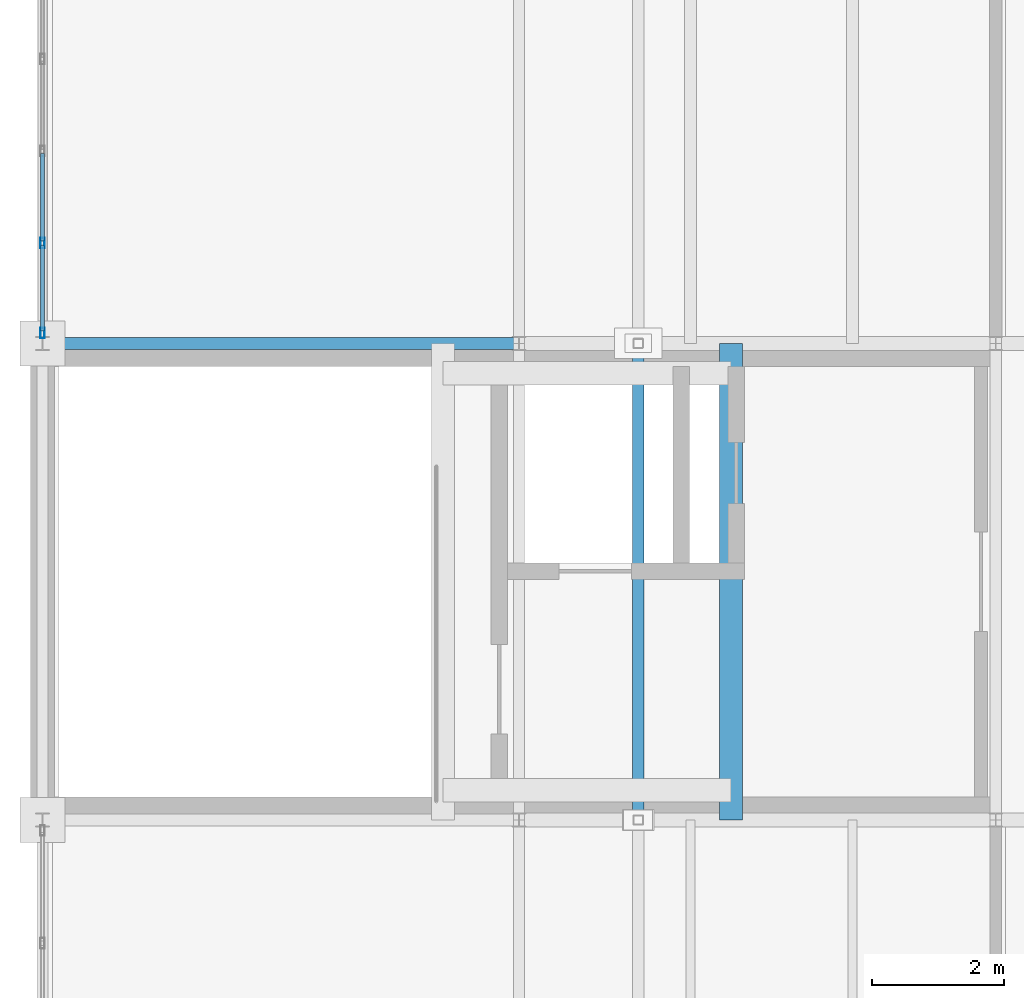
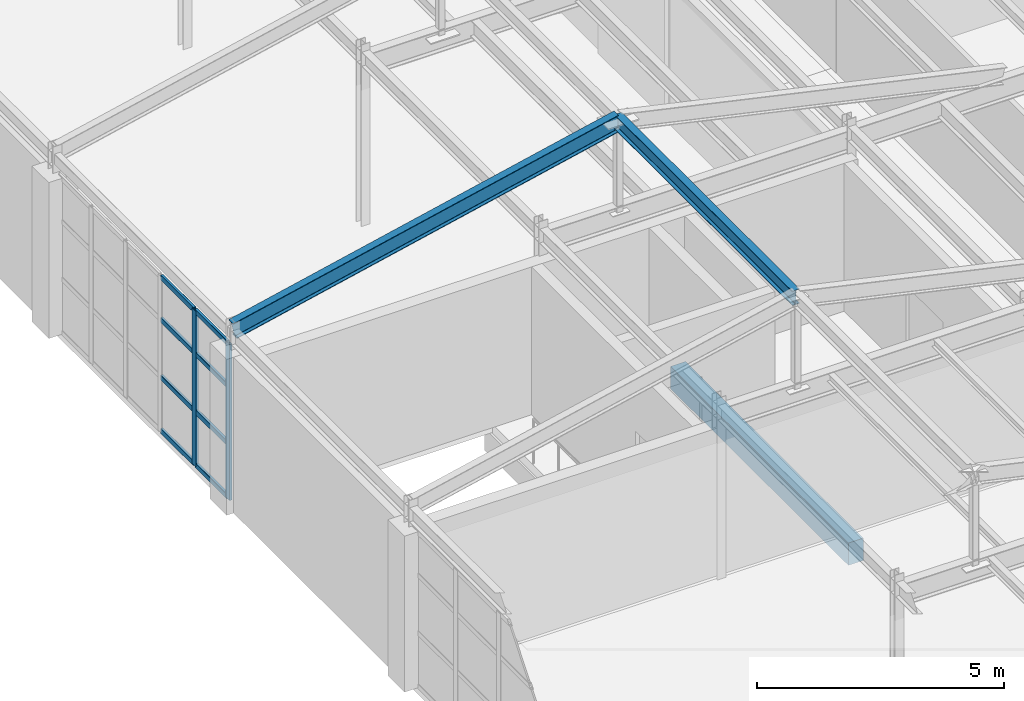
# One storey, part 15 of 43: 10 members, 3 beams, 1 element without a shape of its own.
"""IFC4 building model written with IfcOpenShell, lengths in metres."""

import ifcopenshell
import ifcopenshell.guid

model = None  # the IFC model being written
_history = None  # IfcOwnerHistory: only IFC2X3 demands one
_inside = {}  # id of a spatial element -> (the spatial element, [elements in it])
_under = {}  # id of a project, library or spatial element -> (it, [spatial elements below it])
_declared = {}  # id of a project -> (the project, [libraries it declares])
_typed = {}  # id of a type object -> (the type object, [elements of that type])
_made_of = {}  # id of a material, layer set ... -> (it, [elements and type objects made of it])


def new_model(schema):
    """Start an empty IFC model of exactly this schema.

    Asked for "IFC4X3", IfcOpenShell would pick the latest addendum, in which some entities
    have other attributes; the version numbers below select the first issue.
    IFC2X3 requires an IfcOwnerHistory on every rooted entity: one is made here for all.
    """
    global model, _history
    if schema == "IFC4X3":
        model = ifcopenshell.file(schema_version=(4, 3, 0, 0))
    else:
        model = ifcopenshell.file(schema=schema)
    _inside.clear()
    _under.clear()
    _declared.clear()
    _typed.clear()
    _made_of.clear()
    _history = None
    if model.schema == "IFC2X3":
        org = make("IfcOrganization", Name="unknown")
        user = make(
            "IfcPersonAndOrganization",
            ThePerson=make("IfcPerson", FamilyName="unknown"),
            TheOrganization=org,
        )
        app = make(
            "IfcApplication",
            ApplicationDeveloper=org,
            Version="unknown",
            ApplicationFullName="unknown",
            ApplicationIdentifier="unknown",
        )
        _history = make(
            "IfcOwnerHistory",
            OwningUser=user,
            OwningApplication=app,
            ChangeAction="ADDED",
            CreationDate=0,
        )
    return model


def make(cls, **values):
    """One entity of the class cls with the attributes given. An attribute that is None is left unset."""
    return model.create_entity(
        cls, **{name: value for name, value in values.items() if value is not None}
    )


def rooted(cls, **values):
    """An entity with a GlobalId (a new one), such as an element, a storey or a relation."""
    return make(cls, GlobalId=ifcopenshell.guid.new(), OwnerHistory=_history, **values)


def si_unit(unit_type, name, prefix=None):
    """IfcSIUnit, for example si_unit("LENGTHUNIT", "METRE", prefix="MILLI")."""
    return make("IfcSIUnit", UnitType=unit_type, Prefix=prefix, Name=name)


def assignment(units):
    """IfcUnitAssignment: the units of a project."""
    return None if units is None else make("IfcUnitAssignment", Units=units)


def point(xyz):
    """IfcCartesianPoint."""
    return None if xyz is None else make("IfcCartesianPoint", Coordinates=xyz)


def direction(xyz):
    """IfcDirection."""
    return None if xyz is None else make("IfcDirection", DirectionRatios=xyz)


def frame(location, z_axis=None, x_axis=None):
    """IfcAxis2Placement3D, a coordinate frame: its origin and axes. An axis left out is left unset."""
    return make(
        "IfcAxis2Placement3D",
        Location=point(location),
        Axis=direction(z_axis),
        RefDirection=direction(x_axis),
    )


def frame_2d(location, x_axis=None):
    """IfcAxis2Placement2D, a coordinate frame in the plane: its origin and x axis."""
    return make(
        "IfcAxis2Placement2D", Location=point(location), RefDirection=direction(x_axis)
    )


def origin():
    """The frame at (0, 0, 0) with its axes left unset."""
    return frame((0.0, 0.0, 0.0))


def origin_2d():
    """The frame at (0, 0) in the plane with its x axis left unset."""
    return frame_2d((0.0, 0.0))


def place(relative_to, where):
    """IfcLocalPlacement: puts the frame where relative to a parent placement (None: the world)."""
    return make(
        "IfcLocalPlacement", PlacementRelTo=relative_to, RelativePlacement=where
    )


def context(
    kind, dimensions, precision=None, world=None, true_north=None, identifier=None
):
    """IfcGeometricRepresentationContext, for example the 3D "Model" context."""
    return make(
        "IfcGeometricRepresentationContext",
        ContextIdentifier=identifier,
        ContextType=kind,
        CoordinateSpaceDimension=dimensions,
        Precision=precision,
        WorldCoordinateSystem=world,
        TrueNorth=true_north,
    )


def subcontext(parent, identifier, kind, view, scale=None):
    """IfcGeometricRepresentationSubContext, for example "Body" below "Model"."""
    return make(
        "IfcGeometricRepresentationSubContext",
        ContextIdentifier=identifier,
        ContextType=kind,
        ParentContext=parent,
        TargetScale=scale,
        TargetView=view,
    )


def project(units=None, contexts=None):
    """IfcProject with its units and contexts."""
    return rooted(
        "IfcProject",
        Name="project",
        RepresentationContexts=contexts,
        UnitsInContext=assignment(units),
    )


def spatial(cls, under=None, at=None, **own):
    """A site, building, storey or space (cls), placed at a placement, below another one or the project."""
    s = rooted(cls, ObjectPlacement=at, **own)
    if under is not None:
        _under.setdefault(under.id(), (under, []))[1].append(s)
    return s


def profile(cls, at=None, kind="AREA", **sizes):
    """A parametric profile (cls). Its sizes go by their IFC names, for example OverallWidth=200.0."""
    return make(cls, ProfileType=kind, Position=at, **sizes)


def rectangle(**sizes):
    """IfcRectangleProfileDef."""
    return profile("IfcRectangleProfileDef", **sizes)


def hollow_rectangle(**sizes):
    """IfcRectangleHollowProfileDef."""
    return profile("IfcRectangleHollowProfileDef", **sizes)


def i_section(**sizes):
    """IfcIShapeProfileDef."""
    return profile("IfcIShapeProfileDef", **sizes)


def extrude(swept, where, along, depth):
    """IfcExtrudedAreaSolid: the profile swept, set in the frame where, extruded along a direction by depth."""
    return make(
        "IfcExtrudedAreaSolid",
        SweptArea=swept,
        Position=where,
        ExtrudedDirection=direction(along),
        Depth=depth,
    )


def shape(context_of_items, identifier, shape_type, items):
    """IfcShapeRepresentation: the items that make up one representation, for example the "Body"."""
    return make(
        "IfcShapeRepresentation",
        ContextOfItems=context_of_items,
        RepresentationIdentifier=identifier,
        RepresentationType=shape_type,
        Items=items,
    )


def material(Name=None, Category=None):
    """IfcMaterial."""
    return make("IfcMaterial", Name=Name, Category=Category)


def layer(
    of_material, thickness, ventilated=None, Name=None, Category=None, Priority=None
):
    """IfcMaterialLayer: one layer of a wall or slab, of a material (None: an air gap)."""
    return make(
        "IfcMaterialLayer",
        Material=of_material,
        LayerThickness=thickness,
        IsVentilated=ventilated,
        Name=Name,
        Category=Category,
        Priority=Priority,
    )


def layer_set(layers, Name=None):
    """IfcMaterialLayerSet."""
    return make("IfcMaterialLayerSet", MaterialLayers=layers, LayerSetName=Name)


def material_profile(
    of_material, cross_section, Name=None, Category=None, Priority=None
):
    """IfcMaterialProfile: a cross section and its material."""
    return make(
        "IfcMaterialProfile",
        Name=Name,
        Material=of_material,
        Profile=cross_section,
        Priority=Priority,
        Category=Category,
    )


def profile_set(profiles, Name=None, composite=None):
    """IfcMaterialProfileSet."""
    return make(
        "IfcMaterialProfileSet",
        Name=Name,
        MaterialProfiles=profiles,
        CompositeProfile=composite,
    )


def made_of(thing, what):
    """Note that an element or type object is made of a material, layer set ...; save() writes the relation."""
    if what is not None:
        _made_of.setdefault(what.id(), (what, []))[1].append(thing)
    return thing


def type_object(cls, material=None, **own):
    """A type object (cls), such as IfcWallType, which elements share."""
    return made_of(rooted(cls, **own), material)


def element(
    cls,
    number,
    at=None,
    inside=None,
    cuts=None,
    type_object=None,
    material=None,
    context=None,
    identifier="Body",
    shape_type=None,
    held_by="IfcProductDefinitionShape",
    body=None,
    shapes=None,
    **own,
):
    """One element of the class cls, such as IfcWall. Its Tag is "e" and its number.

    at: its placement. inside: the storey or other place that contains it. cuts: it is an
    opening in that element (IfcRelVoidsElement). A single representation is given by context,
    identifier, shape_type and body (its items); several are given by shapes. held_by: the class
    of the entity that holds the representations. save() writes the other relations.
    """
    e = rooted(cls, Tag="e%d" % number, ObjectPlacement=at, **own)
    if body is not None:
        shapes = [shape(context, identifier, shape_type, body)]
    if shapes is not None:
        e.Representation = make(held_by, Representations=shapes)
    if inside is not None:
        _inside.setdefault(inside.id(), (inside, []))[1].append(e)
    if cuts is not None:
        rooted(
            "IfcRelVoidsElement", RelatingBuildingElement=cuts, RelatedOpeningElement=e
        )
    if type_object is not None:
        _typed.setdefault(type_object.id(), (type_object, []))[1].append(e)
    return made_of(e, material)


def aggregate(whole, parts):
    """IfcRelAggregates: a whole, such as a stair, and the parts it consists of."""
    return rooted("IfcRelAggregates", RelatingObject=whole, RelatedObjects=parts)


def save(model, path):
    """Write the relations noted so far, then the file.

    IfcRelAggregates (storeys below a building ...), IfcRelContainedInSpatialStructure (elements
    in a storey), IfcRelDefinesByType, IfcRelAssociatesMaterial and IfcRelDeclares: one each for
    every whole, place, type object, material and project.
    """
    for whole, parts in _under.values():
        aggregate(whole, parts)
    for where, things in _inside.values():
        rooted(
            "IfcRelContainedInSpatialStructure",
            RelatedElements=things,
            RelatingStructure=where,
        )
    for kind, things in _typed.values():
        rooted("IfcRelDefinesByType", RelatedObjects=things, RelatingType=kind)
    for what, things in _made_of.values():
        rooted("IfcRelAssociatesMaterial", RelatedObjects=things, RelatingMaterial=what)
    for by, libraries in _declared.values():
        rooted("IfcRelDeclares", RelatingContext=by, RelatedDefinitions=libraries)
    model.write(path)


model = new_model("IFC4")

# Units and contexts
model_context = context("Model", 3, precision=1e-05, world=origin(), true_north=direction((0.0, 1.0)))
body_context = subcontext(model_context, "Body", "Model", "MODEL_VIEW")
ifc_project = project(units=[si_unit("LENGTHUNIT", "METRE"), si_unit("AREAUNIT", "SQUARE_METRE"), si_unit("VOLUMEUNIT", "CUBIC_METRE"), si_unit("PLANEANGLEUNIT", "RADIAN"), si_unit("MASSUNIT", "GRAM", prefix="KILO")], contexts=[model_context])

# Site, building, storey
site_placement = place(None, origin())
site = spatial("IfcSite", under=ifc_project, at=site_placement, CompositionType="ELEMENT")
building_placement = place(site_placement, origin())
building = spatial("IfcBuilding", under=site, at=building_placement, Name="Kemerveld Promenade Tramway Depot", CompositionType="ELEMENT")
storey_placement = place(building_placement, frame((0.0, 0.0, 18.89990234375)))
storey = spatial("IfcBuildingStorey", under=building, at=storey_placement, Name="L04", CompositionType="ELEMENT", Elevation=18.89990234375)

# Beams
ifc_material_1 = material(Name="Steel S355", Category="steel")
ifc_material_profile_1 = material_profile(ifc_material_1, i_section(OverallWidth=0.1787109375, OverallDepth=0.409423828125, WebThickness=0.0087890625, FlangeThickness=0.014404296875, FilletRadius=0.01025390625, at=origin_2d()), Name="406x178x67 UB")
ifc_profile_set_1 = profile_set([ifc_material_profile_1], Name="Steel S355")
beam_type_1 = type_object("IfcBeamType", Name="BM-G07", PredefinedType="BEAM", material=ifc_profile_set_1)
beam_1_placement = place(storey_placement, frame((0.0, 21.60009765625, 4.275390625), z_axis=(0.976187060184, 0.0, 0.216930457819), x_axis=(0.0, 1.0, 0.0)))
element("IfcBeam", 1, at=beam_1_placement, inside=storey, type_object=beam_type_1, Name="RAF-V5-D-W", PredefinedType="BEAM", context=body_context, shape_type="SweptSolid", body=[
    extrude(i_section(OverallWidth=0.1787109375, OverallDepth=0.409423828125, WebThickness=0.0087890625, FlangeThickness=0.014404296875, FilletRadius=0.01025390625, at=origin_2d()), origin(), (0.0, 0.0, 1.0), 9.219482421875),
])
ifc_material_profile_2 = material_profile(ifc_material_1, i_section(OverallWidth=0.172119140625, OverallDepth=0.35791015625, WebThickness=0.008056640625, FlangeThickness=0.012939453125, FilletRadius=0.01025390625, at=origin_2d()), Name="356x171x57 UB")
ifc_profile_set_2 = profile_set([ifc_material_profile_2], Name="Steel S355")
beam_type_2 = type_object("IfcBeamType", Name="BM-G08", PredefinedType="BEAM", material=ifc_profile_set_2)
beam_2_placement = place(storey_placement, frame((9.0, 14.39990234375, 6.275390625), z_axis=(0.0, 1.0, 0.0), x_axis=(-1.0, 0.0, 0.0)))
element("IfcBeam", 2, at=beam_2_placement, inside=storey, type_object=beam_type_2, Name="BM-RDG-V5-3", PredefinedType="BEAM", context=body_context, shape_type="SweptSolid", body=[
    extrude(i_section(OverallWidth=0.172119140625, OverallDepth=0.35791015625, WebThickness=0.008056640625, FlangeThickness=0.012939453125, FilletRadius=0.01025390625, at=origin_2d()), origin(), (0.0, 0.0, 1.0), 7.2001953125),
])
ifc_material_2 = material(Name="Concrete C40/50", Category="concrete")
ifc_material_profile_3 = material_profile(ifc_material_2, rectangle(XDim=0.35009765625, YDim=0.550048828125, at=origin_2d()), Name="RC-BM-350x550")
ifc_profile_set_3 = profile_set([ifc_material_profile_3], Name="Concrete C40/50")
beam_type_3 = type_object("IfcBeamType", Name="BM-RC3", PredefinedType="BEAM", material=ifc_profile_set_3)
beam_3_placement = place(storey_placement, frame((10.39990234375, 14.39990234375, -0.5), z_axis=(0.0, 1.0, 0.0), x_axis=(-1.0, 0.0, 0.0)))
element("IfcBeam", 3, at=beam_3_placement, inside=storey, type_object=beam_type_3, Name="BM-CORE-C1-L04-E", PredefinedType="BEAM", context=body_context, shape_type="SweptSolid", body=[
    extrude(rectangle(XDim=0.35009765625, YDim=0.550048828125, at=origin_2d()), origin(), (0.0, 0.0, 1.0), 7.2001953125),
])

# Curtain wall, members
ifc_material_3 = material(Name="Bronze anodised aluminium and solar glass", Category="aluminium")
ifc_layer = layer(ifc_material_3, 0.159912109375)
ifc_layer_set = layer_set([ifc_layer], Name="CW-SYS-07")
curtain_wall_type = type_object("IfcCurtainWallType", Name="CW-SYS-07", PredefinedType="USERDEFINED", material=ifc_layer_set)
curtain_wall_placement = place(storey_placement, origin())
curtain_wall = element("IfcCurtainWall", 4, at=curtain_wall_placement, inside=storey, type_object=curtain_wall_type, Name="CW-L04-V5W-04", ObjectType="GLAZED_CURTAIN_WALL", PredefinedType="USERDEFINED")
ifc_material_4 = material(Name="Bronze anodised aluminium", Category="aluminium")
ifc_material_profile_4 = material_profile(ifc_material_4, hollow_rectangle(XDim=0.06494140625, YDim=0.159912109375, WallThickness=0.00390625, InnerFilletRadius=0.001953125, OuterFilletRadius=0.00390625, at=origin_2d()), Name="CW-MUL-160x65")
ifc_profile_set_4 = profile_set([ifc_material_profile_4], Name="Bronze anodised aluminium")
member_type_1 = type_object("IfcMemberType", Name="CW-MUL-A", PredefinedType="MULLION", material=ifc_profile_set_4)
member_1_placement = place(storey_placement, frame((0.0, 21.75732421875, 0.0), z_axis=(0.0, 0.0, 1.0), x_axis=(-1.0, 0.0, 0.0)))
member_1 = element("IfcMember", 5, at=member_1_placement, type_object=member_type_1, Name="CW07 mullion 1", PredefinedType="MULLION", context=body_context, shape_type="SweptSolid", body=[
    extrude(hollow_rectangle(XDim=0.06494140625, YDim=0.159912109375, WallThickness=0.00390625, InnerFilletRadius=0.001953125, OuterFilletRadius=0.00390625, at=origin_2d()), origin(), (0.0, 0.0, 1.0), 3.85009765625),
])
member_2_placement = place(storey_placement, frame((0.0, 23.114990234375, 0.0), z_axis=(0.0, 0.0, 1.0), x_axis=(-1.0, 0.0, 0.0)))
member_2 = element("IfcMember", 6, at=member_2_placement, type_object=member_type_1, Name="CW07 mullion 2", PredefinedType="MULLION", context=body_context, shape_type="SweptSolid", body=[
    extrude(hollow_rectangle(XDim=0.06494140625, YDim=0.159912109375, WallThickness=0.00390625, InnerFilletRadius=0.001953125, OuterFilletRadius=0.00390625, at=origin_2d()), origin(), (0.0, 0.0, 1.0), 3.85009765625),
])
ifc_material_profile_5 = material_profile(ifc_material_4, hollow_rectangle(XDim=0.06005859375, YDim=0.1201171875, WallThickness=0.00390625, InnerFilletRadius=0.001953125, OuterFilletRadius=0.00390625, at=origin_2d()), Name="CW-TRN-120x60")
ifc_profile_set_5 = profile_set([ifc_material_profile_5], Name="Bronze anodised aluminium")
member_type_2 = type_object("IfcMemberType", Name="CW-TRN-A", PredefinedType="USERDEFINED", material=ifc_profile_set_5)
member_3_placement = place(storey_placement, frame((0.0, 21.789794921875, 0.030029296875), z_axis=(0.0, 1.0, 0.0), x_axis=(-1.0, 0.0, 0.0)))
member_3 = element("IfcMember", 7, at=member_3_placement, type_object=member_type_2, Name="CW07 transom 1.1", ObjectType="TRANSOM", PredefinedType="USERDEFINED", context=body_context, shape_type="SweptSolid", body=[
    extrude(hollow_rectangle(XDim=0.06005859375, YDim=0.1201171875, WallThickness=0.00390625, InnerFilletRadius=0.001953125, OuterFilletRadius=0.00390625, at=origin_2d()), origin(), (0.0, 0.0, 1.0), 1.29248046875),
])
member_4_placement = place(storey_placement, frame((0.0, 21.789794921875, 1.34716796875), z_axis=(0.0, 1.0, 0.0), x_axis=(-1.0, 0.0, 0.0)))
member_4 = element("IfcMember", 8, at=member_4_placement, type_object=member_type_2, Name="CW07 transom 1.2", ObjectType="TRANSOM", PredefinedType="USERDEFINED", context=body_context, shape_type="SweptSolid", body=[
    extrude(hollow_rectangle(XDim=0.06005859375, YDim=0.1201171875, WallThickness=0.00390625, InnerFilletRadius=0.001953125, OuterFilletRadius=0.00390625, at=origin_2d()), origin(), (0.0, 0.0, 1.0), 1.29248046875),
])
member_5_placement = place(storey_placement, frame((0.0, 21.789794921875, 2.772216796875), z_axis=(0.0, 1.0, 0.0), x_axis=(-1.0, 0.0, 0.0)))
member_5 = element("IfcMember", 9, at=member_5_placement, type_object=member_type_2, Name="CW07 transom 1.3", ObjectType="TRANSOM", PredefinedType="USERDEFINED", context=body_context, shape_type="SweptSolid", body=[
    extrude(hollow_rectangle(XDim=0.06005859375, YDim=0.1201171875, WallThickness=0.00390625, InnerFilletRadius=0.001953125, OuterFilletRadius=0.00390625, at=origin_2d()), origin(), (0.0, 0.0, 1.0), 1.29248046875),
])
member_6_placement = place(storey_placement, frame((0.0, 21.789794921875, 3.820068359375), z_axis=(0.0, 1.0, 0.0), x_axis=(-1.0, 0.0, 0.0)))
member_6 = element("IfcMember", 10, at=member_6_placement, type_object=member_type_2, Name="CW07 transom 1.4", ObjectType="TRANSOM", PredefinedType="USERDEFINED", context=body_context, shape_type="SweptSolid", body=[
    extrude(hollow_rectangle(XDim=0.06005859375, YDim=0.1201171875, WallThickness=0.00390625, InnerFilletRadius=0.001953125, OuterFilletRadius=0.00390625, at=origin_2d()), origin(), (0.0, 0.0, 1.0), 1.29248046875),
])
member_7_placement = place(storey_placement, frame((0.0, 23.1474609375, 0.030029296875), z_axis=(0.0, 1.0, 0.0), x_axis=(-1.0, 0.0, 0.0)))
member_7 = element("IfcMember", 11, at=member_7_placement, type_object=member_type_2, Name="CW07 transom 2.1", ObjectType="TRANSOM", PredefinedType="USERDEFINED", context=body_context, shape_type="SweptSolid", body=[
    extrude(hollow_rectangle(XDim=0.06005859375, YDim=0.1201171875, WallThickness=0.00390625, InnerFilletRadius=0.001953125, OuterFilletRadius=0.00390625, at=origin_2d()), origin(), (0.0, 0.0, 1.0), 1.324951171875),
])
member_8_placement = place(storey_placement, frame((0.0, 23.1474609375, 1.34716796875), z_axis=(0.0, 1.0, 0.0), x_axis=(-1.0, 0.0, 0.0)))
member_8 = element("IfcMember", 12, at=member_8_placement, type_object=member_type_2, Name="CW07 transom 2.2", ObjectType="TRANSOM", PredefinedType="USERDEFINED", context=body_context, shape_type="SweptSolid", body=[
    extrude(hollow_rectangle(XDim=0.06005859375, YDim=0.1201171875, WallThickness=0.00390625, InnerFilletRadius=0.001953125, OuterFilletRadius=0.00390625, at=origin_2d()), origin(), (0.0, 0.0, 1.0), 1.324951171875),
])
member_9_placement = place(storey_placement, frame((0.0, 23.1474609375, 2.772216796875), z_axis=(0.0, 1.0, 0.0), x_axis=(-1.0, 0.0, 0.0)))
member_9 = element("IfcMember", 13, at=member_9_placement, type_object=member_type_2, Name="CW07 transom 2.3", ObjectType="TRANSOM", PredefinedType="USERDEFINED", context=body_context, shape_type="SweptSolid", body=[
    extrude(hollow_rectangle(XDim=0.06005859375, YDim=0.1201171875, WallThickness=0.00390625, InnerFilletRadius=0.001953125, OuterFilletRadius=0.00390625, at=origin_2d()), origin(), (0.0, 0.0, 1.0), 1.324951171875),
])
member_10_placement = place(storey_placement, frame((0.0, 23.1474609375, 3.820068359375), z_axis=(0.0, 1.0, 0.0), x_axis=(-1.0, 0.0, 0.0)))
member_10 = element("IfcMember", 14, at=member_10_placement, type_object=member_type_2, Name="CW07 transom 2.4", ObjectType="TRANSOM", PredefinedType="USERDEFINED", context=body_context, shape_type="SweptSolid", body=[
    extrude(hollow_rectangle(XDim=0.06005859375, YDim=0.1201171875, WallThickness=0.00390625, InnerFilletRadius=0.001953125, OuterFilletRadius=0.00390625, at=origin_2d()), origin(), (0.0, 0.0, 1.0), 1.324951171875),
])
aggregate(curtain_wall, [member_1, member_2, member_3, member_4, member_5, member_6, member_7, member_8, member_9, member_10])

save(model, "model.ifc")
